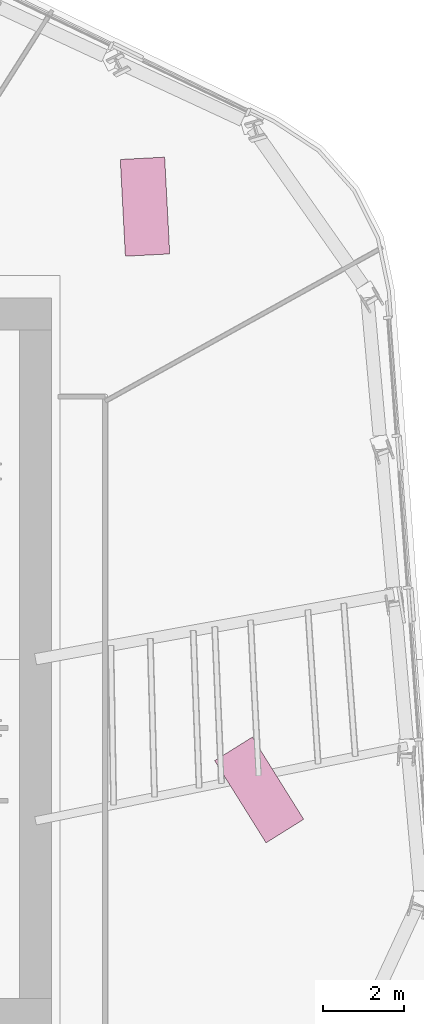
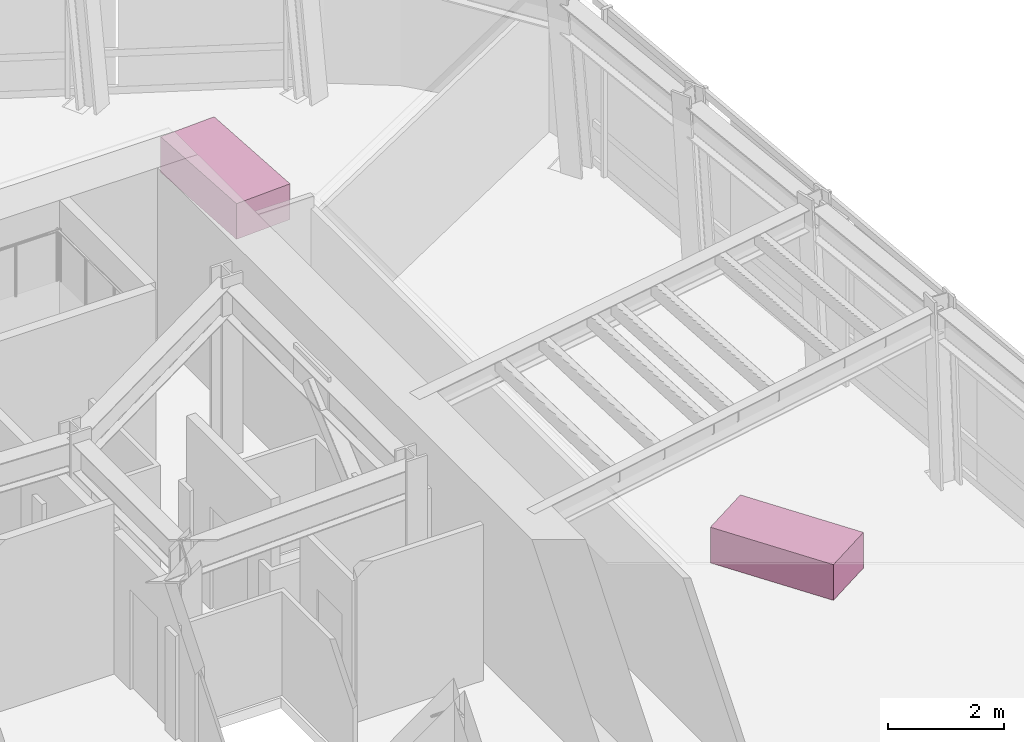
# One storey, part 15 of 15: 2 furniture elements.
"""IFC4 building model written with IfcOpenShell, lengths in metres."""

import ifcopenshell
import ifcopenshell.guid

model = None  # the IFC model being written
_history = None  # IfcOwnerHistory: only IFC2X3 demands one
_inside = {}  # id of a spatial element -> (the spatial element, [elements in it])
_under = {}  # id of a project, library or spatial element -> (it, [spatial elements below it])
_declared = {}  # id of a project -> (the project, [libraries it declares])
_typed = {}  # id of a type object -> (the type object, [elements of that type])
_made_of = {}  # id of a material, layer set ... -> (it, [elements and type objects made of it])


def new_model(schema):
    """Start an empty IFC model of exactly this schema.

    Asked for "IFC4X3", IfcOpenShell would pick the latest addendum, in which some entities
    have other attributes; the version numbers below select the first issue.
    IFC2X3 requires an IfcOwnerHistory on every rooted entity: one is made here for all.
    """
    global model, _history
    if schema == "IFC4X3":
        model = ifcopenshell.file(schema_version=(4, 3, 0, 0))
    else:
        model = ifcopenshell.file(schema=schema)
    _inside.clear()
    _under.clear()
    _declared.clear()
    _typed.clear()
    _made_of.clear()
    _history = None
    if model.schema == "IFC2X3":
        org = make("IfcOrganization", Name="unknown")
        user = make(
            "IfcPersonAndOrganization",
            ThePerson=make("IfcPerson", FamilyName="unknown"),
            TheOrganization=org,
        )
        app = make(
            "IfcApplication",
            ApplicationDeveloper=org,
            Version="unknown",
            ApplicationFullName="unknown",
            ApplicationIdentifier="unknown",
        )
        _history = make(
            "IfcOwnerHistory",
            OwningUser=user,
            OwningApplication=app,
            ChangeAction="ADDED",
            CreationDate=0,
        )
    return model


def make(cls, **values):
    """One entity of the class cls with the attributes given. An attribute that is None is left unset."""
    return model.create_entity(
        cls, **{name: value for name, value in values.items() if value is not None}
    )


def rooted(cls, **values):
    """An entity with a GlobalId (a new one), such as an element, a storey or a relation."""
    return make(cls, GlobalId=ifcopenshell.guid.new(), OwnerHistory=_history, **values)


def si_unit(unit_type, name, prefix=None):
    """IfcSIUnit, for example si_unit("LENGTHUNIT", "METRE", prefix="MILLI")."""
    return make("IfcSIUnit", UnitType=unit_type, Prefix=prefix, Name=name)


def assignment(units):
    """IfcUnitAssignment: the units of a project."""
    return None if units is None else make("IfcUnitAssignment", Units=units)


def point(xyz):
    """IfcCartesianPoint."""
    return None if xyz is None else make("IfcCartesianPoint", Coordinates=xyz)


def direction(xyz):
    """IfcDirection."""
    return None if xyz is None else make("IfcDirection", DirectionRatios=xyz)


def frame(location, z_axis=None, x_axis=None):
    """IfcAxis2Placement3D, a coordinate frame: its origin and axes. An axis left out is left unset."""
    return make(
        "IfcAxis2Placement3D",
        Location=point(location),
        Axis=direction(z_axis),
        RefDirection=direction(x_axis),
    )


def frame_2d(location, x_axis=None):
    """IfcAxis2Placement2D, a coordinate frame in the plane: its origin and x axis."""
    return make(
        "IfcAxis2Placement2D", Location=point(location), RefDirection=direction(x_axis)
    )


def origin():
    """The frame at (0, 0, 0) with its axes left unset."""
    return frame((0.0, 0.0, 0.0))


def origin_2d():
    """The frame at (0, 0) in the plane with its x axis left unset."""
    return frame_2d((0.0, 0.0))


def place(relative_to, where):
    """IfcLocalPlacement: puts the frame where relative to a parent placement (None: the world)."""
    return make(
        "IfcLocalPlacement", PlacementRelTo=relative_to, RelativePlacement=where
    )


def context(
    kind, dimensions, precision=None, world=None, true_north=None, identifier=None
):
    """IfcGeometricRepresentationContext, for example the 3D "Model" context."""
    return make(
        "IfcGeometricRepresentationContext",
        ContextIdentifier=identifier,
        ContextType=kind,
        CoordinateSpaceDimension=dimensions,
        Precision=precision,
        WorldCoordinateSystem=world,
        TrueNorth=true_north,
    )


def subcontext(parent, identifier, kind, view, scale=None):
    """IfcGeometricRepresentationSubContext, for example "Body" below "Model"."""
    return make(
        "IfcGeometricRepresentationSubContext",
        ContextIdentifier=identifier,
        ContextType=kind,
        ParentContext=parent,
        TargetScale=scale,
        TargetView=view,
    )


def project(units=None, contexts=None):
    """IfcProject with its units and contexts."""
    return rooted(
        "IfcProject",
        Name="project",
        RepresentationContexts=contexts,
        UnitsInContext=assignment(units),
    )


def spatial(cls, under=None, at=None, **own):
    """A site, building, storey or space (cls), placed at a placement, below another one or the project."""
    s = rooted(cls, ObjectPlacement=at, **own)
    if under is not None:
        _under.setdefault(under.id(), (under, []))[1].append(s)
    return s


def profile(cls, at=None, kind="AREA", **sizes):
    """A parametric profile (cls). Its sizes go by their IFC names, for example OverallWidth=200.0."""
    return make(cls, ProfileType=kind, Position=at, **sizes)


def rectangle(**sizes):
    """IfcRectangleProfileDef."""
    return profile("IfcRectangleProfileDef", **sizes)


def extrude(swept, where, along, depth):
    """IfcExtrudedAreaSolid: the profile swept, set in the frame where, extruded along a direction by depth."""
    return make(
        "IfcExtrudedAreaSolid",
        SweptArea=swept,
        Position=where,
        ExtrudedDirection=direction(along),
        Depth=depth,
    )


def shape(context_of_items, identifier, shape_type, items):
    """IfcShapeRepresentation: the items that make up one representation, for example the "Body"."""
    return make(
        "IfcShapeRepresentation",
        ContextOfItems=context_of_items,
        RepresentationIdentifier=identifier,
        RepresentationType=shape_type,
        Items=items,
    )


def material(Name=None, Category=None):
    """IfcMaterial."""
    return make("IfcMaterial", Name=Name, Category=Category)


def made_of(thing, what):
    """Note that an element or type object is made of a material, layer set ...; save() writes the relation."""
    if what is not None:
        _made_of.setdefault(what.id(), (what, []))[1].append(thing)
    return thing


def type_object(cls, material=None, **own):
    """A type object (cls), such as IfcWallType, which elements share."""
    return made_of(rooted(cls, **own), material)


def element(
    cls,
    number,
    at=None,
    inside=None,
    cuts=None,
    type_object=None,
    material=None,
    context=None,
    identifier="Body",
    shape_type=None,
    held_by="IfcProductDefinitionShape",
    body=None,
    shapes=None,
    **own,
):
    """One element of the class cls, such as IfcWall. Its Tag is "e" and its number.

    at: its placement. inside: the storey or other place that contains it. cuts: it is an
    opening in that element (IfcRelVoidsElement). A single representation is given by context,
    identifier, shape_type and body (its items); several are given by shapes. held_by: the class
    of the entity that holds the representations. save() writes the other relations.
    """
    e = rooted(cls, Tag="e%d" % number, ObjectPlacement=at, **own)
    if body is not None:
        shapes = [shape(context, identifier, shape_type, body)]
    if shapes is not None:
        e.Representation = make(held_by, Representations=shapes)
    if inside is not None:
        _inside.setdefault(inside.id(), (inside, []))[1].append(e)
    if cuts is not None:
        rooted(
            "IfcRelVoidsElement", RelatingBuildingElement=cuts, RelatedOpeningElement=e
        )
    if type_object is not None:
        _typed.setdefault(type_object.id(), (type_object, []))[1].append(e)
    return made_of(e, material)


def aggregate(whole, parts):
    """IfcRelAggregates: a whole, such as a stair, and the parts it consists of."""
    return rooted("IfcRelAggregates", RelatingObject=whole, RelatedObjects=parts)


def save(model, path):
    """Write the relations noted so far, then the file.

    IfcRelAggregates (storeys below a building ...), IfcRelContainedInSpatialStructure (elements
    in a storey), IfcRelDefinesByType, IfcRelAssociatesMaterial and IfcRelDeclares: one each for
    every whole, place, type object, material and project.
    """
    for whole, parts in _under.values():
        aggregate(whole, parts)
    for where, things in _inside.values():
        rooted(
            "IfcRelContainedInSpatialStructure",
            RelatedElements=things,
            RelatingStructure=where,
        )
    for kind, things in _typed.values():
        rooted("IfcRelDefinesByType", RelatedObjects=things, RelatingType=kind)
    for what, things in _made_of.values():
        rooted("IfcRelAssociatesMaterial", RelatedObjects=things, RelatingMaterial=what)
    for by, libraries in _declared.values():
        rooted("IfcRelDeclares", RelatingContext=by, RelatedDefinitions=libraries)
    model.write(path)


model = new_model("IFC4")

# Units and contexts
model_context = context("Model", 3, precision=1e-05, world=origin(), true_north=direction((0.0, 1.0)))
body_context = subcontext(model_context, "Body", "Model", "MODEL_VIEW")
ifc_project = project(units=[si_unit("LENGTHUNIT", "METRE"), si_unit("AREAUNIT", "SQUARE_METRE"), si_unit("VOLUMEUNIT", "CUBIC_METRE"), si_unit("PLANEANGLEUNIT", "RADIAN"), si_unit("MASSUNIT", "GRAM", prefix="KILO")], contexts=[model_context])

# Site, building, storey
site_placement = place(None, origin())
site = spatial("IfcSite", under=ifc_project, at=site_placement, CompositionType="ELEMENT")
building_placement = place(site_placement, origin())
building = spatial("IfcBuilding", under=site, at=building_placement, Name="Valkerne Bourse Tower", CompositionType="ELEMENT")
storey_placement = place(building_placement, frame((0.0, 0.0, 170.39990234375)))
storey = spatial("IfcBuildingStorey", under=building, at=storey_placement, Name="L43", CompositionType="ELEMENT", Elevation=170.39990234375)

# Furniture
ifc_material = material(Name="Architectural White Oak Timber", Category="wood")
furniture_type = type_object("IfcFurnitureType", Name="FURN-DESK-2400", AssemblyPlace="NOTDEFINED", PredefinedType="DESK", material=ifc_material)
for number, where, z_axis, x_axis, name in (
    (1, (58.7099609375, 38.2060546875, 0.045166015625), (0.0, 0.0, 1.0), (-0.052335956243, 0.998629534755, 0.0), "L43 Suite Worktable 08"),
    (2, (61.537109375, 23.763916015625, 0.045166015625), (0.0, 0.0, 1.0), (-0.529919264233, 0.848048096156, 0.0), "L43 Suite Worktable 09"),
):
    element("IfcFurniture", number, at=place(storey_placement, frame(where, z_axis=z_axis, x_axis=x_axis)), inside=storey, type_object=furniture_type, Name=name, PredefinedType="DESK", context=body_context, shape_type="SweptSolid", body=[
        extrude(rectangle(XDim=2.39990234375, YDim=1.10009765625, at=origin_2d()), origin(), (0.0, 0.0, 1.0), 0.75),
    ])

save(model, "model.ifc")
